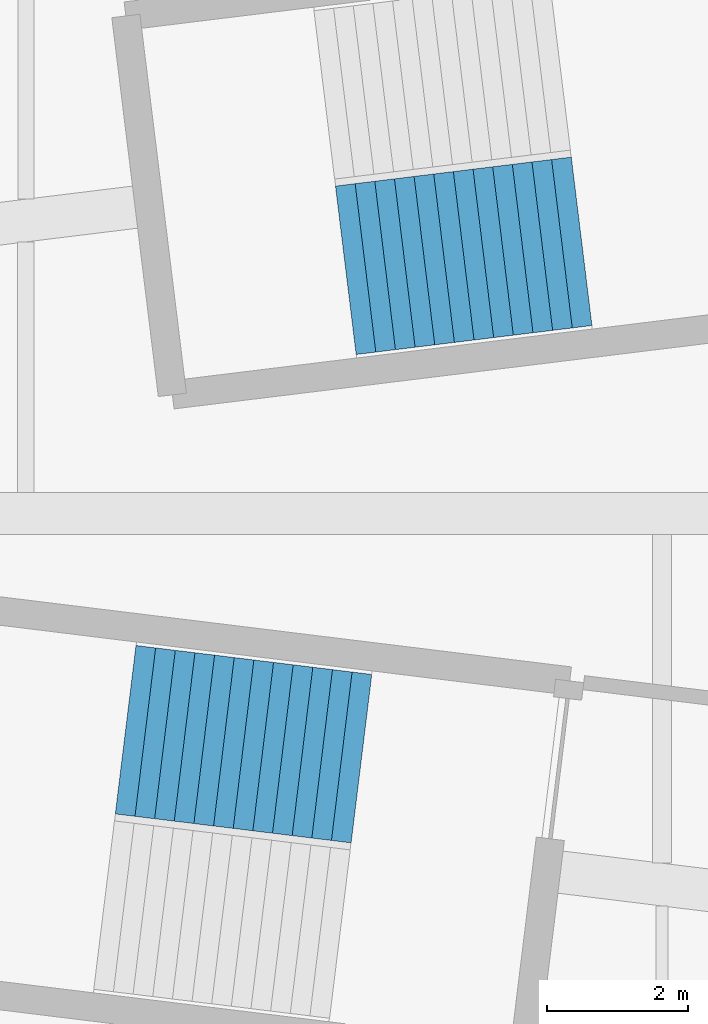
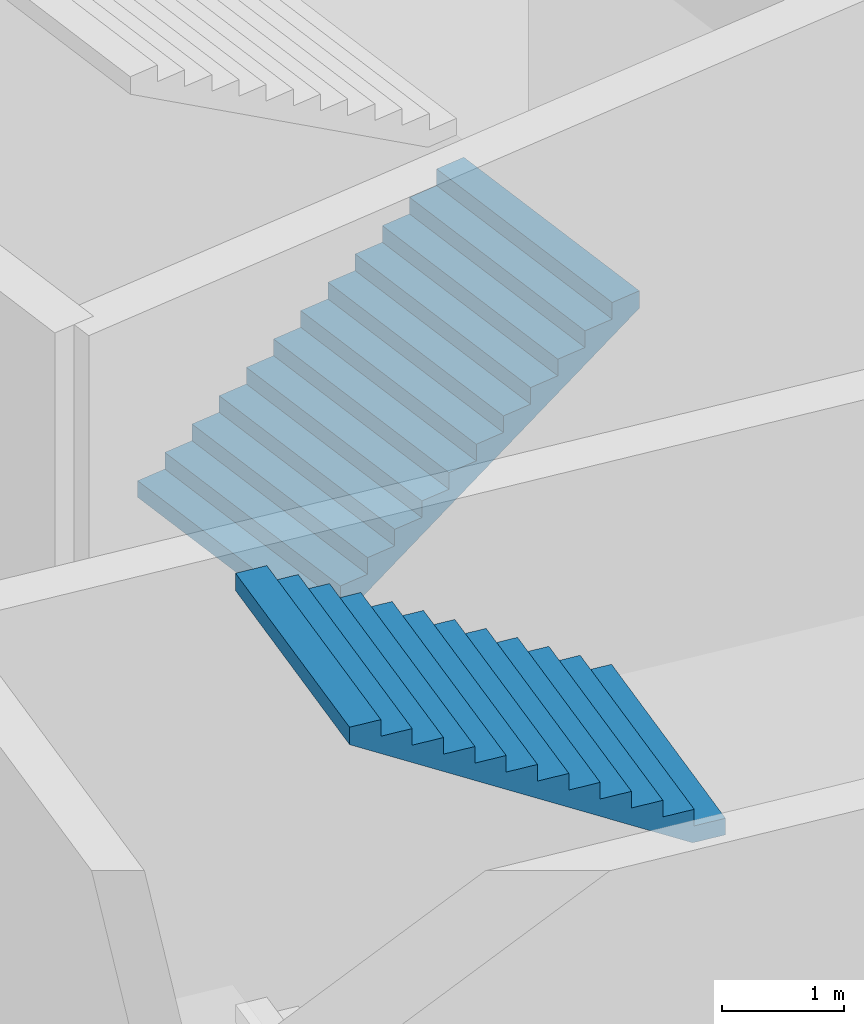
# One storey, part 39 of 47: 2 stair flights, 2 elements without a shape of their own.
"""IFC4 building model written with IfcOpenShell, lengths in metres."""

from ifc_helpers import new_model, si_unit, direction, frame, origin, place, context, subcontext, project, spatial, triangles, material, type_object, element, aggregate, save


model = new_model("IFC4")

# Units and contexts
model_context = context("Model", 3, precision=1e-05, world=origin(), true_north=direction((0.0, 1.0)))
body_context = subcontext(model_context, "Body", "Model", "MODEL_VIEW")
ifc_project = project(units=[si_unit("LENGTHUNIT", "METRE"), si_unit("AREAUNIT", "SQUARE_METRE"), si_unit("VOLUMEUNIT", "CUBIC_METRE"), si_unit("PLANEANGLEUNIT", "RADIAN"), si_unit("MASSUNIT", "GRAM", prefix="KILO")], contexts=[model_context])

# Site, building, storey
site_placement = place(None, origin())
site = spatial("IfcSite", under=ifc_project, at=site_placement, CompositionType="ELEMENT")
building_placement = place(site_placement, origin())
building = spatial("IfcBuilding", under=site, at=building_placement, Name="Lantaw Convention Tower", CompositionType="ELEMENT")
storey_placement = place(building_placement, origin())
storey = spatial("IfcBuildingStorey", under=building, at=storey_placement, Name="L00", CompositionType="ELEMENT", Elevation=0.0)

# Stair, stair flight
ifc_material = material(Name="Concrete C35/45", Category="concrete")
stair_type = type_object("IfcStairType", Name="Exit stair 2400 riser 166.67 in 3 flights", PredefinedType="HALF_TURN_STAIR", material=ifc_material)
stair_1_placement = place(storey_placement, origin())
stair_1 = element("IfcStair", 1, at=stair_1_placement, inside=storey, type_object=stair_type, Name="Podium exit stair P1 L00", PredefinedType="HALF_TURN_STAIR")
stair_flight_type = type_object("IfcStairFlightType", Name="Stair flight 2400 riser 166.67", PredefinedType="STRAIGHT", material=ifc_material)
stair_flight_1_placement = place(storey_placement, frame((38.2763671875, 3.4404296875, 2.166748046875), z_axis=(0.0, 0.0, 1.0), x_axis=(0.992546151641, 0.121869343405, 0.0)))
stair_flight_1 = element("IfcStairFlight", 2, at=stair_flight_1_placement, type_object=stair_flight_type, Name="P1 flight 2", NumberOfRisers=13, NumberOfTreads=12, PredefinedType="STRAIGHT", RiserHeight=0.166666667, TreadLength=0.28, context=body_context, shape_type="Tessellation", body=[
    triangles([(0.0, 1.199951171875, 0.0), (0.0, 1.199951171875, 0.166666667), (0.28, 1.199951171875, 0.0), (0.28, 1.199951171875, 0.166666667), (0.28, 1.199951171875, 0.333333334), (0.29307345806906815, 1.199951171875, 0.0), (0.29307345806906815, 1.199951171875, 0.333333334), (0.56, 1.199951171875, 0.15888484670522912), (0.56, 1.199951171875, 0.333333334), (0.56, 1.199951171875, 0.500000001), (0.8400000000000001, 1.199951171875, 0.3255515137052291), (0.8400000000000001, 1.199951171875, 0.500000001), (0.8400000000000001, 1.199951171875, 0.666666668), (1.12, 1.199951171875, 0.49221818070522905), (1.12, 1.199951171875, 0.666666668), (1.12, 1.199951171875, 0.833333335), (1.4000000000000001, 1.199951171875, 0.658884847705229), (1.4000000000000001, 1.199951171875, 0.833333335), (1.4000000000000001, 1.199951171875, 1.000000002), (1.6800000000000002, 1.199951171875, 0.825551514705229), (1.6800000000000002, 1.199951171875, 1.000000002), (1.6800000000000002, 1.199951171875, 1.166666669), (1.9600000000000002, 1.199951171875, 0.992218181705229), (1.9600000000000002, 1.199951171875, 1.166666669), (1.9600000000000002, 1.199951171875, 1.333333336), (2.24, 1.199951171875, 1.158884848705229), (2.24, 1.199951171875, 1.333333336), (2.24, 1.199951171875, 1.5000000029999998), (2.5200000000000005, 1.199951171875, 1.325551515705229), (2.5200000000000005, 1.199951171875, 1.5000000029999998), (2.5200000000000005, 1.199951171875, 1.66666667), (2.8000000000000003, 1.199951171875, 1.492218182705229), (2.8000000000000003, 1.199951171875, 1.66666667), (2.8000000000000003, 1.199951171875, 1.833333337), (3.08, 1.199951171875, 1.6588848497052289), (3.08, 1.199951171875, 1.833333337), (3.08, 1.199951171875, 2.000000004), (3.3600000000000003, 1.199951171875, 1.825551516705229), (3.3600000000000003, 1.199951171875, 2.000000004), (0.0, -1.199951171875, 0.0), (0.0, -1.199951171875, 0.166666667), (0.28, -1.199951171875, 0.0), (0.28, -1.199951171875, 0.166666667), (0.28, -1.199951171875, 0.333333334), (0.29307345806906815, -1.199951171875, 0.0), (0.29307345806906815, -1.199951171875, 0.333333334), (0.56, -1.199951171875, 0.15888484670522912), (0.56, -1.199951171875, 0.333333334), (0.56, -1.199951171875, 0.500000001), (0.8400000000000001, -1.199951171875, 0.3255515137052291), (0.8400000000000001, -1.199951171875, 0.500000001), (0.8400000000000001, -1.199951171875, 0.666666668), (1.12, -1.199951171875, 0.49221818070522905), (1.12, -1.199951171875, 0.666666668), (1.12, -1.199951171875, 0.833333335), (1.4000000000000001, -1.199951171875, 0.658884847705229), (1.4000000000000001, -1.199951171875, 0.833333335), (1.4000000000000001, -1.199951171875, 1.000000002), (1.6800000000000002, -1.199951171875, 0.825551514705229), (1.6800000000000002, -1.199951171875, 1.000000002), (1.6800000000000002, -1.199951171875, 1.166666669), (1.9600000000000002, -1.199951171875, 0.992218181705229), (1.9600000000000002, -1.199951171875, 1.166666669), (1.9600000000000002, -1.199951171875, 1.333333336), (2.24, -1.199951171875, 1.158884848705229), (2.24, -1.199951171875, 1.333333336), (2.24, -1.199951171875, 1.5000000029999998), (2.5200000000000005, -1.199951171875, 1.325551515705229), (2.5200000000000005, -1.199951171875, 1.5000000029999998), (2.5200000000000005, -1.199951171875, 1.66666667), (2.8000000000000003, -1.199951171875, 1.492218182705229), (2.8000000000000003, -1.199951171875, 1.66666667), (2.8000000000000003, -1.199951171875, 1.833333337), (3.08, -1.199951171875, 1.6588848497052289), (3.08, -1.199951171875, 1.833333337), (3.08, -1.199951171875, 2.000000004), (3.3600000000000003, -1.199951171875, 1.825551516705229), (3.3600000000000003, -1.199951171875, 2.000000004), (0.0, 0.239990234375, 0.166666667), (0.0, 0.239990234375, 0.0), (0.0, 0.0, 0.166666667), (0.0, 0.0, 0.0), (0.0, -0.239990234375, 0.166666667), (0.0, -0.239990234375, 0.0), (0.28, 0.239990234375, 0.333333334), (0.28, 0.239990234375, 0.166666667), (0.28, 0.0, 0.333333334), (0.28, 0.0, 0.166666667), (0.28, -0.239990234375, 0.333333334), (0.28, -0.239990234375, 0.166666667), (0.56, 0.239990234375, 0.500000001), (0.56, 0.239990234375, 0.333333334), (0.56, 0.0, 0.500000001), (0.56, 0.0, 0.333333334), (0.56, -0.239990234375, 0.500000001), (0.56, -0.239990234375, 0.333333334), (0.8400000000000001, 0.239990234375, 0.666666668), (0.8400000000000001, 0.239990234375, 0.500000001), (0.8400000000000001, 0.0, 0.666666668), (0.8400000000000001, 0.0, 0.500000001), (0.8400000000000001, -0.239990234375, 0.666666668), (0.8400000000000001, -0.239990234375, 0.500000001), (1.12, 0.239990234375, 0.833333335), (1.12, 0.239990234375, 0.666666668), (1.12, 0.0, 0.833333335), (1.12, 0.0, 0.666666668), (1.12, -0.239990234375, 0.833333335), (1.12, -0.239990234375, 0.666666668), (1.4000000000000001, 0.239990234375, 1.000000002), (1.4000000000000001, 0.239990234375, 0.833333335), (1.4000000000000001, 0.0, 1.000000002), (1.4000000000000001, 0.0, 0.833333335), (1.4000000000000001, -0.239990234375, 1.000000002), (1.4000000000000001, -0.239990234375, 0.833333335), (1.6800000000000002, 0.239990234375, 1.166666669), (1.6800000000000002, 0.239990234375, 1.000000002), (1.6800000000000002, 0.0, 1.166666669), (1.6800000000000002, 0.0, 1.000000002), (1.6800000000000002, -0.239990234375, 1.166666669), (1.6800000000000002, -0.239990234375, 1.000000002), (1.9600000000000002, 0.239990234375, 1.333333336), (1.9600000000000002, 0.239990234375, 1.166666669), (1.9600000000000002, 0.0, 1.333333336), (1.9600000000000002, 0.0, 1.166666669), (1.9600000000000002, -0.239990234375, 1.333333336), (1.9600000000000002, -0.239990234375, 1.166666669), (2.24, 0.239990234375, 1.5000000029999998), (2.24, 0.239990234375, 1.333333336), (2.24, 0.0, 1.5000000029999998), (2.24, 0.0, 1.333333336), (2.24, -0.239990234375, 1.5000000029999998), (2.24, -0.239990234375, 1.333333336), (2.5200000000000005, 0.239990234375, 1.66666667), (2.5200000000000005, 0.239990234375, 1.5000000029999998), (2.5200000000000005, 0.0, 1.66666667), (2.5200000000000005, 0.0, 1.5000000029999998), (2.5200000000000005, -0.239990234375, 1.66666667), (2.5200000000000005, -0.239990234375, 1.5000000029999998), (2.8000000000000003, 0.239990234375, 1.833333337), (2.8000000000000003, 0.239990234375, 1.66666667), (2.8000000000000003, 0.0, 1.833333337), (2.8000000000000003, 0.0, 1.66666667), (2.8000000000000003, -0.239990234375, 1.833333337), (2.8000000000000003, -0.239990234375, 1.66666667), (3.08, 0.239990234375, 2.000000004), (3.08, 0.239990234375, 1.833333337), (3.08, 0.0, 2.000000004), (3.08, 0.0, 1.833333337), (3.08, -0.239990234375, 2.000000004), (3.08, -0.239990234375, 1.833333337), (0.29307345806906815, 0.239990234375, 0.333333334), (0.29307345806906815, 0.0, 0.333333334), (0.29307345806906815, -0.239990234375, 0.333333334), (3.3600000000000003, 0.239990234375, 2.000000004), (3.3600000000000003, 0.0, 2.000000004), (3.3600000000000003, -0.239990234375, 2.000000004), (3.3600000000000003, 0.239990234375, 1.8255515167052292), (3.3600000000000003, 0.0, 1.8255515167052292), (3.3600000000000003, -0.239990234375, 1.8255515167052292), (3.08, 0.239990234375, 1.6588848497052289), (3.08, 0.0, 1.6588848497052289), (3.08, -0.239990234375, 1.6588848497052289), (2.8000000000000003, 0.239990234375, 1.492218182705229), (2.8000000000000003, 0.0, 1.492218182705229), (2.8000000000000003, -0.239990234375, 1.492218182705229), (2.5200000000000005, 0.239990234375, 1.325551515705229), (2.5200000000000005, 0.0, 1.325551515705229), (2.5200000000000005, -0.239990234375, 1.325551515705229), (2.24, 0.239990234375, 1.158884848705229), (2.24, 0.0, 1.158884848705229), (2.24, -0.239990234375, 1.158884848705229), (1.9600000000000002, 0.239990234375, 0.992218181705229), (1.9600000000000002, 0.0, 0.992218181705229), (1.9600000000000002, -0.239990234375, 0.992218181705229), (1.6800000000000002, 0.239990234375, 0.825551514705229), (1.6800000000000002, 0.0, 0.825551514705229), (1.6800000000000002, -0.239990234375, 0.825551514705229), (1.4000000000000001, 0.239990234375, 0.658884847705229), (1.4000000000000001, 0.0, 0.658884847705229), (1.4000000000000001, -0.239990234375, 0.658884847705229), (1.12, 0.239990234375, 0.49221818070522905), (1.12, 0.0, 0.49221818070522905), (1.12, -0.239990234375, 0.49221818070522905), (0.8400000000000001, 0.239990234375, 0.3255515137052291), (0.8400000000000001, 0.0, 0.3255515137052291), (0.8400000000000001, -0.239990234375, 0.3255515137052291), (0.56, 0.239990234375, 0.15888484670522912), (0.56, 0.0, 0.15888484670522912), (0.56, -0.239990234375, 0.15888484670522912), (0.29307345806906815, 0.239990234375, 0.0), (0.29307345806906815, 0.0, 0.0), (0.29307345806906815, -0.239990234375, 0.0), (0.28, 0.239990234375, 0.0), (0.28, 0.0, 0.0), (0.28, -0.239990234375, 0.0)], [[1, 4, 3], [1, 2, 4], [3, 4, 6], [4, 7, 6], [4, 5, 7], [6, 9, 8], [6, 7, 9], [8, 9, 11], [9, 12, 11], [9, 10, 12], [11, 12, 14], [12, 15, 14], [12, 13, 15], [14, 15, 17], [15, 18, 17], [15, 16, 18], [17, 18, 20], [18, 21, 20], [18, 19, 21], [20, 21, 23], [21, 24, 23], [21, 22, 24], [23, 24, 26], [24, 27, 26], [24, 25, 27], [26, 27, 29], [27, 30, 29], [27, 28, 30], [29, 30, 32], [30, 33, 32], [30, 31, 33], [32, 33, 35], [33, 36, 35], [33, 34, 36], [35, 36, 38], [36, 39, 38], [36, 37, 39], [40, 42, 43], [40, 43, 41], [42, 45, 43], [43, 45, 46], [43, 46, 44], [45, 47, 48], [45, 48, 46], [47, 50, 48], [48, 50, 51], [48, 51, 49], [50, 53, 51], [51, 53, 54], [51, 54, 52], [53, 56, 54], [54, 56, 57], [54, 57, 55], [56, 59, 57], [57, 59, 60], [57, 60, 58], [59, 62, 60], [60, 62, 63], [60, 63, 61], [62, 65, 63], [63, 65, 66], [63, 66, 64], [65, 68, 66], [66, 68, 69], [66, 69, 67], [68, 71, 69], [69, 71, 72], [69, 72, 70], [71, 74, 72], [72, 74, 75], [72, 75, 73], [74, 77, 75], [75, 77, 78], [75, 78, 76], [1, 79, 2], [1, 80, 79], [80, 81, 79], [80, 82, 81], [82, 83, 81], [82, 84, 83], [84, 41, 83], [84, 40, 41], [4, 85, 5], [4, 86, 85], [86, 87, 85], [86, 88, 87], [88, 89, 87], [88, 90, 89], [90, 44, 89], [90, 43, 44], [9, 91, 10], [9, 92, 91], [92, 93, 91], [92, 94, 93], [94, 95, 93], [94, 96, 95], [96, 49, 95], [96, 48, 49], [12, 97, 13], [12, 98, 97], [98, 99, 97], [98, 100, 99], [100, 101, 99], [100, 102, 101], [102, 52, 101], [102, 51, 52], [15, 103, 16], [15, 104, 103], [104, 105, 103], [104, 106, 105], [106, 107, 105], [106, 108, 107], [108, 55, 107], [108, 54, 55], [18, 109, 19], [18, 110, 109], [110, 111, 109], [110, 112, 111], [112, 113, 111], [112, 114, 113], [114, 58, 113], [114, 57, 58], [21, 115, 22], [21, 116, 115], [116, 117, 115], [116, 118, 117], [118, 119, 117], [118, 120, 119], [120, 61, 119], [120, 60, 61], [24, 121, 25], [24, 122, 121], [122, 123, 121], [122, 124, 123], [124, 125, 123], [124, 126, 125], [126, 64, 125], [126, 63, 64], [27, 127, 28], [27, 128, 127], [128, 129, 127], [128, 130, 129], [130, 131, 129], [130, 132, 131], [132, 67, 131], [132, 66, 67], [30, 133, 31], [30, 134, 133], [134, 135, 133], [134, 136, 135], [136, 137, 135], [136, 138, 137], [138, 70, 137], [138, 69, 70], [33, 139, 34], [33, 140, 139], [140, 141, 139], [140, 142, 141], [142, 143, 141], [142, 144, 143], [144, 73, 143], [144, 72, 73], [36, 145, 37], [36, 146, 145], [146, 147, 145], [146, 148, 147], [148, 149, 147], [148, 150, 149], [150, 76, 149], [150, 75, 76], [2, 86, 4], [2, 79, 86], [79, 88, 86], [79, 81, 88], [81, 90, 88], [81, 83, 90], [83, 43, 90], [83, 41, 43], [5, 151, 7], [5, 85, 151], [85, 152, 151], [85, 87, 152], [87, 153, 152], [87, 89, 153], [89, 46, 153], [89, 44, 46], [7, 92, 9], [7, 151, 92], [151, 94, 92], [151, 152, 94], [152, 96, 94], [152, 153, 96], [153, 48, 96], [153, 46, 48], [10, 98, 12], [10, 91, 98], [91, 100, 98], [91, 93, 100], [93, 102, 100], [93, 95, 102], [95, 51, 102], [95, 49, 51], [13, 104, 15], [13, 97, 104], [97, 106, 104], [97, 99, 106], [99, 108, 106], [99, 101, 108], [101, 54, 108], [101, 52, 54], [16, 110, 18], [16, 103, 110], [103, 112, 110], [103, 105, 112], [105, 114, 112], [105, 107, 114], [107, 57, 114], [107, 55, 57], [19, 116, 21], [19, 109, 116], [109, 118, 116], [109, 111, 118], [111, 120, 118], [111, 113, 120], [113, 60, 120], [113, 58, 60], [22, 122, 24], [22, 115, 122], [115, 124, 122], [115, 117, 124], [117, 126, 124], [117, 119, 126], [119, 63, 126], [119, 61, 63], [25, 128, 27], [25, 121, 128], [121, 130, 128], [121, 123, 130], [123, 132, 130], [123, 125, 132], [125, 66, 132], [125, 64, 66], [28, 134, 30], [28, 127, 134], [127, 136, 134], [127, 129, 136], [129, 138, 136], [129, 131, 138], [131, 69, 138], [131, 67, 69], [31, 140, 33], [31, 133, 140], [133, 142, 140], [133, 135, 142], [135, 144, 142], [135, 137, 144], [137, 72, 144], [137, 70, 72], [34, 146, 36], [34, 139, 146], [139, 148, 146], [139, 141, 148], [141, 150, 148], [141, 143, 150], [143, 75, 150], [143, 73, 75], [37, 154, 39], [37, 145, 154], [145, 155, 154], [145, 147, 155], [147, 156, 155], [147, 149, 156], [149, 78, 156], [149, 76, 78], [39, 157, 38], [39, 154, 157], [154, 158, 157], [154, 155, 158], [155, 159, 158], [155, 156, 159], [156, 77, 159], [156, 78, 77], [38, 160, 35], [38, 157, 160], [157, 161, 160], [157, 158, 161], [158, 162, 161], [158, 159, 162], [159, 74, 162], [159, 77, 74], [35, 163, 32], [35, 160, 163], [160, 164, 163], [160, 161, 164], [161, 165, 164], [161, 162, 165], [162, 71, 165], [162, 74, 71], [32, 166, 29], [32, 163, 166], [163, 167, 166], [163, 164, 167], [164, 168, 167], [164, 165, 168], [165, 68, 168], [165, 71, 68], [29, 169, 26], [29, 166, 169], [166, 170, 169], [166, 167, 170], [167, 171, 170], [167, 168, 171], [168, 65, 171], [168, 68, 65], [26, 172, 23], [26, 169, 172], [169, 173, 172], [169, 170, 173], [170, 174, 173], [170, 171, 174], [171, 62, 174], [171, 65, 62], [23, 175, 20], [23, 172, 175], [172, 176, 175], [172, 173, 176], [173, 177, 176], [173, 174, 177], [174, 59, 177], [174, 62, 59], [20, 178, 17], [20, 175, 178], [175, 179, 178], [175, 176, 179], [176, 180, 179], [176, 177, 180], [177, 56, 180], [177, 59, 56], [17, 181, 14], [17, 178, 181], [178, 182, 181], [178, 179, 182], [179, 183, 182], [179, 180, 183], [180, 53, 183], [180, 56, 53], [14, 184, 11], [14, 181, 184], [181, 185, 184], [181, 182, 185], [182, 186, 185], [182, 183, 186], [183, 50, 186], [183, 53, 50], [11, 187, 8], [11, 184, 187], [184, 188, 187], [184, 185, 188], [185, 189, 188], [185, 186, 189], [186, 47, 189], [186, 50, 47], [8, 190, 6], [8, 187, 190], [187, 191, 190], [187, 188, 191], [188, 192, 191], [188, 189, 192], [189, 45, 192], [189, 47, 45], [6, 193, 3], [6, 190, 193], [190, 194, 193], [190, 191, 194], [191, 195, 194], [191, 192, 195], [192, 42, 195], [192, 45, 42], [3, 80, 1], [3, 193, 80], [193, 82, 80], [193, 194, 82], [194, 84, 82], [194, 195, 84], [195, 40, 84], [195, 42, 40]], closed=True),
])
aggregate(stair_1, [stair_flight_1])

stair_2_placement = place(storey_placement, origin())
stair_2 = element("IfcStair", 3, at=stair_2_placement, inside=storey, type_object=stair_type, Name="Podium exit stair P13 L00", PredefinedType="HALF_TURN_STAIR")
stair_flight_2_placement = place(storey_placement, frame((38.4970703125, -3.467529296875, 4.333251953125), z_axis=(0.0, 0.0, 1.0), x_axis=(-0.992546151641, 0.121869343405, 0.0)))
stair_flight_2 = element("IfcStairFlight", 4, at=stair_flight_2_placement, type_object=stair_flight_type, Name="P13 flight 3", NumberOfRisers=13, NumberOfTreads=12, PredefinedType="STRAIGHT", RiserHeight=0.166666667, TreadLength=0.28, context=body_context, shape_type="Tessellation", body=[
    triangles([(0.0, 1.199951171875, 0.0), (0.0, 1.199951171875, 0.166666667), (0.28, 1.199951171875, 0.0), (0.28, 1.199951171875, 0.166666667), (0.28, 1.199951171875, 0.333333334), (0.29307345806906815, 1.199951171875, 0.0), (0.29307345806906815, 1.199951171875, 0.333333334), (0.56, 1.199951171875, 0.15888484670522912), (0.56, 1.199951171875, 0.333333334), (0.56, 1.199951171875, 0.500000001), (0.8400000000000001, 1.199951171875, 0.3255515137052291), (0.8400000000000001, 1.199951171875, 0.500000001), (0.8400000000000001, 1.199951171875, 0.666666668), (1.12, 1.199951171875, 0.49221818070522905), (1.12, 1.199951171875, 0.666666668), (1.12, 1.199951171875, 0.833333335), (1.4000000000000001, 1.199951171875, 0.658884847705229), (1.4000000000000001, 1.199951171875, 0.833333335), (1.4000000000000001, 1.199951171875, 1.000000002), (1.6800000000000002, 1.199951171875, 0.825551514705229), (1.6800000000000002, 1.199951171875, 1.000000002), (1.6800000000000002, 1.199951171875, 1.166666669), (1.9600000000000002, 1.199951171875, 0.992218181705229), (1.9600000000000002, 1.199951171875, 1.166666669), (1.9600000000000002, 1.199951171875, 1.333333336), (2.24, 1.199951171875, 1.158884848705229), (2.24, 1.199951171875, 1.333333336), (2.24, 1.199951171875, 1.5000000029999998), (2.5200000000000005, 1.199951171875, 1.325551515705229), (2.5200000000000005, 1.199951171875, 1.5000000029999998), (2.5200000000000005, 1.199951171875, 1.66666667), (2.8000000000000003, 1.199951171875, 1.492218182705229), (2.8000000000000003, 1.199951171875, 1.66666667), (2.8000000000000003, 1.199951171875, 1.833333337), (3.08, 1.199951171875, 1.6588848497052289), (3.08, 1.199951171875, 1.833333337), (3.08, 1.199951171875, 2.000000004), (3.3600000000000003, 1.199951171875, 1.825551516705229), (3.3600000000000003, 1.199951171875, 2.000000004), (0.0, -1.199951171875, 0.0), (0.0, -1.199951171875, 0.166666667), (0.28, -1.199951171875, 0.0), (0.28, -1.199951171875, 0.166666667), (0.28, -1.199951171875, 0.333333334), (0.29307345806906815, -1.199951171875, 0.0), (0.29307345806906815, -1.199951171875, 0.333333334), (0.56, -1.199951171875, 0.15888484670522912), (0.56, -1.199951171875, 0.333333334), (0.56, -1.199951171875, 0.500000001), (0.8400000000000001, -1.199951171875, 0.3255515137052291), (0.8400000000000001, -1.199951171875, 0.500000001), (0.8400000000000001, -1.199951171875, 0.666666668), (1.12, -1.199951171875, 0.49221818070522905), (1.12, -1.199951171875, 0.666666668), (1.12, -1.199951171875, 0.833333335), (1.4000000000000001, -1.199951171875, 0.658884847705229), (1.4000000000000001, -1.199951171875, 0.833333335), (1.4000000000000001, -1.199951171875, 1.000000002), (1.6800000000000002, -1.199951171875, 0.825551514705229), (1.6800000000000002, -1.199951171875, 1.000000002), (1.6800000000000002, -1.199951171875, 1.166666669), (1.9600000000000002, -1.199951171875, 0.992218181705229), (1.9600000000000002, -1.199951171875, 1.166666669), (1.9600000000000002, -1.199951171875, 1.333333336), (2.24, -1.199951171875, 1.158884848705229), (2.24, -1.199951171875, 1.333333336), (2.24, -1.199951171875, 1.5000000029999998), (2.5200000000000005, -1.199951171875, 1.325551515705229), (2.5200000000000005, -1.199951171875, 1.5000000029999998), (2.5200000000000005, -1.199951171875, 1.66666667), (2.8000000000000003, -1.199951171875, 1.492218182705229), (2.8000000000000003, -1.199951171875, 1.66666667), (2.8000000000000003, -1.199951171875, 1.833333337), (3.08, -1.199951171875, 1.6588848497052289), (3.08, -1.199951171875, 1.833333337), (3.08, -1.199951171875, 2.000000004), (3.3600000000000003, -1.199951171875, 1.825551516705229), (3.3600000000000003, -1.199951171875, 2.000000004), (0.0, 0.239990234375, 0.166666667), (0.0, 0.239990234375, 0.0), (0.0, 0.0, 0.166666667), (0.0, 0.0, 0.0), (0.0, -0.239990234375, 0.166666667), (0.0, -0.239990234375, 0.0), (0.28, 0.239990234375, 0.333333334), (0.28, 0.239990234375, 0.166666667), (0.28, 0.0, 0.333333334), (0.28, 0.0, 0.166666667), (0.28, -0.239990234375, 0.333333334), (0.28, -0.239990234375, 0.166666667), (0.56, 0.239990234375, 0.500000001), (0.56, 0.239990234375, 0.333333334), (0.56, 0.0, 0.500000001), (0.56, 0.0, 0.333333334), (0.56, -0.239990234375, 0.500000001), (0.56, -0.239990234375, 0.333333334), (0.8400000000000001, 0.239990234375, 0.666666668), (0.8400000000000001, 0.239990234375, 0.500000001), (0.8400000000000001, 0.0, 0.666666668), (0.8400000000000001, 0.0, 0.500000001), (0.8400000000000001, -0.239990234375, 0.666666668), (0.8400000000000001, -0.239990234375, 0.500000001), (1.12, 0.239990234375, 0.833333335), (1.12, 0.239990234375, 0.666666668), (1.12, 0.0, 0.833333335), (1.12, 0.0, 0.666666668), (1.12, -0.239990234375, 0.833333335), (1.12, -0.239990234375, 0.666666668), (1.4000000000000001, 0.239990234375, 1.000000002), (1.4000000000000001, 0.239990234375, 0.833333335), (1.4000000000000001, 0.0, 1.000000002), (1.4000000000000001, 0.0, 0.833333335), (1.4000000000000001, -0.239990234375, 1.000000002), (1.4000000000000001, -0.239990234375, 0.833333335), (1.6800000000000002, 0.239990234375, 1.166666669), (1.6800000000000002, 0.239990234375, 1.000000002), (1.6800000000000002, 0.0, 1.166666669), (1.6800000000000002, 0.0, 1.000000002), (1.6800000000000002, -0.239990234375, 1.166666669), (1.6800000000000002, -0.239990234375, 1.000000002), (1.9600000000000002, 0.239990234375, 1.333333336), (1.9600000000000002, 0.239990234375, 1.166666669), (1.9600000000000002, 0.0, 1.333333336), (1.9600000000000002, 0.0, 1.166666669), (1.9600000000000002, -0.239990234375, 1.333333336), (1.9600000000000002, -0.239990234375, 1.166666669), (2.24, 0.239990234375, 1.5000000029999998), (2.24, 0.239990234375, 1.333333336), (2.24, 0.0, 1.5000000029999998), (2.24, 0.0, 1.333333336), (2.24, -0.239990234375, 1.5000000029999998), (2.24, -0.239990234375, 1.333333336), (2.5200000000000005, 0.239990234375, 1.66666667), (2.5200000000000005, 0.239990234375, 1.5000000029999998), (2.5200000000000005, 0.0, 1.66666667), (2.5200000000000005, 0.0, 1.5000000029999998), (2.5200000000000005, -0.239990234375, 1.66666667), (2.5200000000000005, -0.239990234375, 1.5000000029999998), (2.8000000000000003, 0.239990234375, 1.833333337), (2.8000000000000003, 0.239990234375, 1.66666667), (2.8000000000000003, 0.0, 1.833333337), (2.8000000000000003, 0.0, 1.66666667), (2.8000000000000003, -0.239990234375, 1.833333337), (2.8000000000000003, -0.239990234375, 1.66666667), (3.08, 0.239990234375, 2.000000004), (3.08, 0.239990234375, 1.833333337), (3.08, 0.0, 2.000000004), (3.08, 0.0, 1.833333337), (3.08, -0.239990234375, 2.000000004), (3.08, -0.239990234375, 1.833333337), (0.29307345806906815, 0.239990234375, 0.333333334), (0.29307345806906815, 0.0, 0.333333334), (0.29307345806906815, -0.239990234375, 0.333333334), (3.3600000000000003, 0.239990234375, 2.000000004), (3.3600000000000003, 0.0, 2.000000004), (3.3600000000000003, -0.239990234375, 2.000000004), (3.3600000000000003, 0.239990234375, 1.8255515167052292), (3.3600000000000003, 0.0, 1.8255515167052292), (3.3600000000000003, -0.239990234375, 1.8255515167052292), (3.08, 0.239990234375, 1.6588848497052289), (3.08, 0.0, 1.6588848497052289), (3.08, -0.239990234375, 1.6588848497052289), (2.8000000000000003, 0.239990234375, 1.492218182705229), (2.8000000000000003, 0.0, 1.492218182705229), (2.8000000000000003, -0.239990234375, 1.492218182705229), (2.5200000000000005, 0.239990234375, 1.325551515705229), (2.5200000000000005, 0.0, 1.325551515705229), (2.5200000000000005, -0.239990234375, 1.325551515705229), (2.24, 0.239990234375, 1.158884848705229), (2.24, 0.0, 1.158884848705229), (2.24, -0.239990234375, 1.158884848705229), (1.9600000000000002, 0.239990234375, 0.992218181705229), (1.9600000000000002, 0.0, 0.992218181705229), (1.9600000000000002, -0.239990234375, 0.992218181705229), (1.6800000000000002, 0.239990234375, 0.825551514705229), (1.6800000000000002, 0.0, 0.825551514705229), (1.6800000000000002, -0.239990234375, 0.825551514705229), (1.4000000000000001, 0.239990234375, 0.658884847705229), (1.4000000000000001, 0.0, 0.658884847705229), (1.4000000000000001, -0.239990234375, 0.658884847705229), (1.12, 0.239990234375, 0.49221818070522905), (1.12, 0.0, 0.49221818070522905), (1.12, -0.239990234375, 0.49221818070522905), (0.8400000000000001, 0.239990234375, 0.3255515137052291), (0.8400000000000001, 0.0, 0.3255515137052291), (0.8400000000000001, -0.239990234375, 0.3255515137052291), (0.56, 0.239990234375, 0.15888484670522912), (0.56, 0.0, 0.15888484670522912), (0.56, -0.239990234375, 0.15888484670522912), (0.29307345806906815, 0.239990234375, 0.0), (0.29307345806906815, 0.0, 0.0), (0.29307345806906815, -0.239990234375, 0.0), (0.28, 0.239990234375, 0.0), (0.28, 0.0, 0.0), (0.28, -0.239990234375, 0.0)], [[1, 4, 3], [1, 2, 4], [3, 4, 6], [4, 7, 6], [4, 5, 7], [6, 9, 8], [6, 7, 9], [8, 9, 11], [9, 12, 11], [9, 10, 12], [11, 12, 14], [12, 15, 14], [12, 13, 15], [14, 15, 17], [15, 18, 17], [15, 16, 18], [17, 18, 20], [18, 21, 20], [18, 19, 21], [20, 21, 23], [21, 24, 23], [21, 22, 24], [23, 24, 26], [24, 27, 26], [24, 25, 27], [26, 27, 29], [27, 30, 29], [27, 28, 30], [29, 30, 32], [30, 33, 32], [30, 31, 33], [32, 33, 35], [33, 36, 35], [33, 34, 36], [35, 36, 38], [36, 39, 38], [36, 37, 39], [40, 42, 43], [40, 43, 41], [42, 45, 43], [43, 45, 46], [43, 46, 44], [45, 47, 48], [45, 48, 46], [47, 50, 48], [48, 50, 51], [48, 51, 49], [50, 53, 51], [51, 53, 54], [51, 54, 52], [53, 56, 54], [54, 56, 57], [54, 57, 55], [56, 59, 57], [57, 59, 60], [57, 60, 58], [59, 62, 60], [60, 62, 63], [60, 63, 61], [62, 65, 63], [63, 65, 66], [63, 66, 64], [65, 68, 66], [66, 68, 69], [66, 69, 67], [68, 71, 69], [69, 71, 72], [69, 72, 70], [71, 74, 72], [72, 74, 75], [72, 75, 73], [74, 77, 75], [75, 77, 78], [75, 78, 76], [1, 79, 2], [1, 80, 79], [80, 81, 79], [80, 82, 81], [82, 83, 81], [82, 84, 83], [84, 41, 83], [84, 40, 41], [4, 85, 5], [4, 86, 85], [86, 87, 85], [86, 88, 87], [88, 89, 87], [88, 90, 89], [90, 44, 89], [90, 43, 44], [9, 91, 10], [9, 92, 91], [92, 93, 91], [92, 94, 93], [94, 95, 93], [94, 96, 95], [96, 49, 95], [96, 48, 49], [12, 97, 13], [12, 98, 97], [98, 99, 97], [98, 100, 99], [100, 101, 99], [100, 102, 101], [102, 52, 101], [102, 51, 52], [15, 103, 16], [15, 104, 103], [104, 105, 103], [104, 106, 105], [106, 107, 105], [106, 108, 107], [108, 55, 107], [108, 54, 55], [18, 109, 19], [18, 110, 109], [110, 111, 109], [110, 112, 111], [112, 113, 111], [112, 114, 113], [114, 58, 113], [114, 57, 58], [21, 115, 22], [21, 116, 115], [116, 117, 115], [116, 118, 117], [118, 119, 117], [118, 120, 119], [120, 61, 119], [120, 60, 61], [24, 121, 25], [24, 122, 121], [122, 123, 121], [122, 124, 123], [124, 125, 123], [124, 126, 125], [126, 64, 125], [126, 63, 64], [27, 127, 28], [27, 128, 127], [128, 129, 127], [128, 130, 129], [130, 131, 129], [130, 132, 131], [132, 67, 131], [132, 66, 67], [30, 133, 31], [30, 134, 133], [134, 135, 133], [134, 136, 135], [136, 137, 135], [136, 138, 137], [138, 70, 137], [138, 69, 70], [33, 139, 34], [33, 140, 139], [140, 141, 139], [140, 142, 141], [142, 143, 141], [142, 144, 143], [144, 73, 143], [144, 72, 73], [36, 145, 37], [36, 146, 145], [146, 147, 145], [146, 148, 147], [148, 149, 147], [148, 150, 149], [150, 76, 149], [150, 75, 76], [2, 86, 4], [2, 79, 86], [79, 88, 86], [79, 81, 88], [81, 90, 88], [81, 83, 90], [83, 43, 90], [83, 41, 43], [5, 151, 7], [5, 85, 151], [85, 152, 151], [85, 87, 152], [87, 153, 152], [87, 89, 153], [89, 46, 153], [89, 44, 46], [7, 92, 9], [7, 151, 92], [151, 94, 92], [151, 152, 94], [152, 96, 94], [152, 153, 96], [153, 48, 96], [153, 46, 48], [10, 98, 12], [10, 91, 98], [91, 100, 98], [91, 93, 100], [93, 102, 100], [93, 95, 102], [95, 51, 102], [95, 49, 51], [13, 104, 15], [13, 97, 104], [97, 106, 104], [97, 99, 106], [99, 108, 106], [99, 101, 108], [101, 54, 108], [101, 52, 54], [16, 110, 18], [16, 103, 110], [103, 112, 110], [103, 105, 112], [105, 114, 112], [105, 107, 114], [107, 57, 114], [107, 55, 57], [19, 116, 21], [19, 109, 116], [109, 118, 116], [109, 111, 118], [111, 120, 118], [111, 113, 120], [113, 60, 120], [113, 58, 60], [22, 122, 24], [22, 115, 122], [115, 124, 122], [115, 117, 124], [117, 126, 124], [117, 119, 126], [119, 63, 126], [119, 61, 63], [25, 128, 27], [25, 121, 128], [121, 130, 128], [121, 123, 130], [123, 132, 130], [123, 125, 132], [125, 66, 132], [125, 64, 66], [28, 134, 30], [28, 127, 134], [127, 136, 134], [127, 129, 136], [129, 138, 136], [129, 131, 138], [131, 69, 138], [131, 67, 69], [31, 140, 33], [31, 133, 140], [133, 142, 140], [133, 135, 142], [135, 144, 142], [135, 137, 144], [137, 72, 144], [137, 70, 72], [34, 146, 36], [34, 139, 146], [139, 148, 146], [139, 141, 148], [141, 150, 148], [141, 143, 150], [143, 75, 150], [143, 73, 75], [37, 154, 39], [37, 145, 154], [145, 155, 154], [145, 147, 155], [147, 156, 155], [147, 149, 156], [149, 78, 156], [149, 76, 78], [39, 157, 38], [39, 154, 157], [154, 158, 157], [154, 155, 158], [155, 159, 158], [155, 156, 159], [156, 77, 159], [156, 78, 77], [38, 160, 35], [38, 157, 160], [157, 161, 160], [157, 158, 161], [158, 162, 161], [158, 159, 162], [159, 74, 162], [159, 77, 74], [35, 163, 32], [35, 160, 163], [160, 164, 163], [160, 161, 164], [161, 165, 164], [161, 162, 165], [162, 71, 165], [162, 74, 71], [32, 166, 29], [32, 163, 166], [163, 167, 166], [163, 164, 167], [164, 168, 167], [164, 165, 168], [165, 68, 168], [165, 71, 68], [29, 169, 26], [29, 166, 169], [166, 170, 169], [166, 167, 170], [167, 171, 170], [167, 168, 171], [168, 65, 171], [168, 68, 65], [26, 172, 23], [26, 169, 172], [169, 173, 172], [169, 170, 173], [170, 174, 173], [170, 171, 174], [171, 62, 174], [171, 65, 62], [23, 175, 20], [23, 172, 175], [172, 176, 175], [172, 173, 176], [173, 177, 176], [173, 174, 177], [174, 59, 177], [174, 62, 59], [20, 178, 17], [20, 175, 178], [175, 179, 178], [175, 176, 179], [176, 180, 179], [176, 177, 180], [177, 56, 180], [177, 59, 56], [17, 181, 14], [17, 178, 181], [178, 182, 181], [178, 179, 182], [179, 183, 182], [179, 180, 183], [180, 53, 183], [180, 56, 53], [14, 184, 11], [14, 181, 184], [181, 185, 184], [181, 182, 185], [182, 186, 185], [182, 183, 186], [183, 50, 186], [183, 53, 50], [11, 187, 8], [11, 184, 187], [184, 188, 187], [184, 185, 188], [185, 189, 188], [185, 186, 189], [186, 47, 189], [186, 50, 47], [8, 190, 6], [8, 187, 190], [187, 191, 190], [187, 188, 191], [188, 192, 191], [188, 189, 192], [189, 45, 192], [189, 47, 45], [6, 193, 3], [6, 190, 193], [190, 194, 193], [190, 191, 194], [191, 195, 194], [191, 192, 195], [192, 42, 195], [192, 45, 42], [3, 80, 1], [3, 193, 80], [193, 82, 80], [193, 194, 82], [194, 84, 82], [194, 195, 84], [195, 40, 84], [195, 42, 40]], closed=True),
])
aggregate(stair_2, [stair_flight_2])

save(model, "model.ifc")
